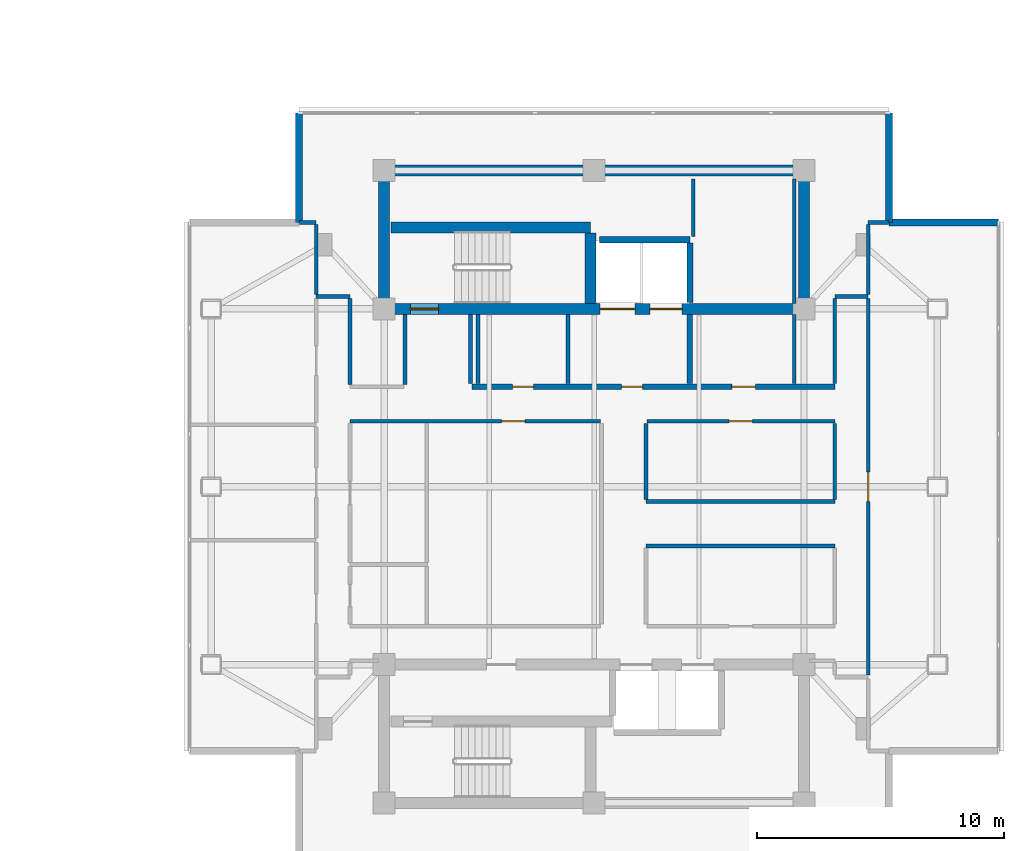
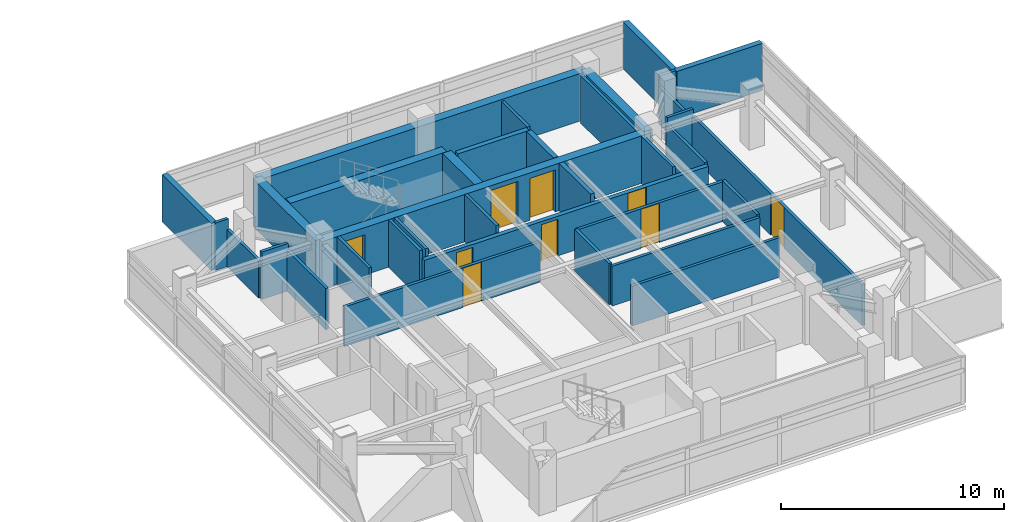
# One storey, part 15 of 21: 35 walls, 9 doors, 9 openings.
"""IFC4 building model written with IfcOpenShell, lengths in metres."""

from ifc_helpers import new_model, si_unit, direction, frame, frame_2d, origin, place, context, subcontext, project, spatial, rectangle, extrude, material, layer, layer_set, type_object, element, fill, save


model = new_model("IFC4")

# Units and contexts
model_context = context("Model", 3, precision=1e-05, world=origin(), true_north=direction((0.0, 1.0)))
body_context = subcontext(model_context, "Body", "Model", "MODEL_VIEW")
ifc_project = project(units=[si_unit("LENGTHUNIT", "METRE"), si_unit("AREAUNIT", "SQUARE_METRE"), si_unit("VOLUMEUNIT", "CUBIC_METRE"), si_unit("PLANEANGLEUNIT", "RADIAN"), si_unit("MASSUNIT", "GRAM", prefix="KILO")], contexts=[model_context])

# Site, building, storey
site_placement = place(None, origin())
site = spatial("IfcSite", under=ifc_project, at=site_placement, CompositionType="ELEMENT")
building_placement = place(site_placement, origin())
building = spatial("IfcBuilding", under=site, at=building_placement, Name="Mirazonda Arch Towers", CompositionType="ELEMENT")
storey_placement = place(building_placement, frame((0.0, 0.0, 206.39990234375)))
storey = spatial("IfcBuildingStorey", under=building, at=storey_placement, Name="L59", CompositionType="ELEMENT", Elevation=206.39990234375)

# Walls
ifc_material_1 = material(Name="Concrete C50/60", Category="concrete")
ifc_layer_1 = layer(ifc_material_1, 0.449951171875, Name="WALL-CORE-450")
ifc_layer_set_1 = layer_set([ifc_layer_1], Name="Concrete C50/60")
wall_type_1 = type_object("IfcWallType", Name="WALL-CORE-450", PredefinedType="SHEAR", material=ifc_layer_set_1)
wall_1_placement = place(storey_placement, frame((68.0, 40.800048828125, 0.0), z_axis=(0.0, 0.0, 1.0), x_axis=(1.0, 0.0, 0.0)))
element("IfcWall", 1, at=wall_1_placement, inside=storey, type_object=wall_type_1, Name="L59 T2N-N Core Shear Wall", PredefinedType="SHEAR", context=body_context, shape_type="SweptSolid", body=[
    extrude(rectangle(XDim=17.0, YDim=0.449951171875, at=frame_2d((8.5, 0.0))), origin(), (0.0, 0.0, 1.0), 2.60009765625),
])
for number, where, z_axis, x_axis, name in (
    (2, (68.0, 35.199951171875, 0.0), (0.0, 0.0, 1.0), (0.0, 1.0, 0.0), "L59 T2N-W Core Shear Wall"),
    (3, (85.0, 35.199951171875, 0.0), (0.0, 0.0, 1.0), (0.0, 1.0, 0.0), "L59 T2N-E Core Shear Wall"),
):
    element("IfcWall", number, at=place(storey_placement, frame(where, z_axis=z_axis, x_axis=x_axis)), inside=storey, type_object=wall_type_1, Name=name, PredefinedType="SHEAR", context=body_context, shape_type="SweptSolid", body=[
        extrude(rectangle(XDim=5.60009765625, YDim=0.449951171875, at=frame_2d((2.800048828125, 0.0))), origin(), (0.0, 0.0, 1.0), 2.60009765625),
    ])

# Wall, openings, doors
wall_2_placement = place(storey_placement, frame((68.0, 35.199951171875, 0.0), z_axis=(0.0, 0.0, 1.0), x_axis=(1.0, 0.0, 0.0)))
wall_2 = element("IfcWall", 4, at=wall_2_placement, inside=storey, type_object=wall_type_1, Name="L59 T2N-S Core Shear Wall", PredefinedType="SHEAR", context=body_context, shape_type="SweptSolid", body=[
    extrude(rectangle(XDim=17.0, YDim=0.449951171875, at=frame_2d((8.5, 0.0))), origin(), (0.0, 0.0, 1.0), 2.60009765625),
])
opening_1_placement = place(wall_2_placement, frame((1.06005859375, 0.0, 0.0)))
opening_1 = element("IfcOpeningElement", 5, at=opening_1_placement, cuts=wall_2, Name="Opening DR-135", PredefinedType="OPENING", context=body_context, shape_type="SweptSolid", body=[
    extrude(rectangle(XDim=1.14990234375, YDim=2.199951171875, at=frame_2d((0.574951171875, 1.10009765625))), frame((0.0, 0.23486328125, 0.0), z_axis=(0.0, -1.0, 0.0), x_axis=(1.0, 0.0, 0.0)), (0.0, 0.0, 1.0), 0.469970703125),
])
opening_2_placement = place(wall_2_placement, frame((8.75, 0.0, 0.0)))
opening_2 = element("IfcOpeningElement", 6, at=opening_2_placement, cuts=wall_2, Name="Opening LD-112", PredefinedType="OPENING", context=body_context, shape_type="SweptSolid", body=[
    extrude(rectangle(XDim=1.39990234375, YDim=2.35009765625, at=frame_2d((0.699951171875, 1.175048828125))), frame((0.0, 0.23486328125, 0.0), z_axis=(0.0, -1.0, 0.0), x_axis=(1.0, 0.0, 0.0)), (0.0, 0.0, 1.0), 0.469970703125),
])
opening_3_placement = place(wall_2_placement, frame((10.77001953125, 0.0, 0.0)))
opening_3 = element("IfcOpeningElement", 7, at=opening_3_placement, cuts=wall_2, Name="Opening LD-111", PredefinedType="OPENING", context=body_context, shape_type="SweptSolid", body=[
    extrude(rectangle(XDim=1.300048828125, YDim=2.300048828125, at=frame_2d((0.64990234375, 1.14990234375))), frame((0.0, 0.23486328125, 0.0), z_axis=(0.0, -1.0, 0.0), x_axis=(1.0, 0.0, 0.0)), (0.0, 0.0, 1.0), 0.469970703125),
])
ifc_material_2 = material(Name="Architectural Brushed Steel S355", Category="steel")
door_type_1 = type_object("IfcDoorType", Name="DOOR-LIFT-FFL-1400", OperationType="NOTDEFINED", PredefinedType="DOOR", material=ifc_material_2)
door_1_placement = place(opening_2_placement, origin())
door_1 = element("IfcDoor", 8, at=door_1_placement, inside=storey, type_object=door_type_1, Name="L59 Lift Landing Sliding Door FFL-T2", OperationType="DOUBLE_DOOR_SLIDING", OverallHeight=2.35009765625, OverallWidth=1.39990234375, PredefinedType="DOOR", context=body_context, shape_type="SweptSolid", body=[
    extrude(rectangle(XDim=1.39990234375, YDim=2.35009765625, at=frame_2d((0.699951171875, 1.175048828125))), frame((0.0, 0.02490234375, 0.0), z_axis=(0.0, -1.0, 0.0), x_axis=(1.0, 0.0, 0.0)), (0.0, 0.0, 1.0), 0.050048828125),
])
fill(opening_2, door_1)
door_type_2 = type_object("IfcDoorType", Name="DOOR-LIFT-LAND-1300", OperationType="NOTDEFINED", PredefinedType="DOOR", material=ifc_material_2)
door_2_placement = place(opening_3_placement, origin())
door_2 = element("IfcDoor", 9, at=door_2_placement, inside=storey, type_object=door_type_2, Name="L59 Lift Landing Sliding Door SVL-T2", OperationType="DOUBLE_DOOR_SLIDING", OverallHeight=2.300048828125, OverallWidth=1.300048828125, PredefinedType="DOOR", context=body_context, shape_type="SweptSolid", body=[
    extrude(rectangle(XDim=1.300048828125, YDim=2.300048828125, at=frame_2d((0.64990234375, 1.14990234375))), frame((0.0, 0.02490234375, 0.0), z_axis=(0.0, -1.0, 0.0), x_axis=(1.0, 0.0, 0.0)), (0.0, 0.0, 1.0), 0.050048828125),
])
fill(opening_3, door_2)
door_type_3 = type_object("IfcDoorType", Name="DOOR-STAIR-FD90-1150", OperationType="NOTDEFINED", PredefinedType="DOOR", material=ifc_material_2)
door_3_placement = place(opening_1_placement, origin())
door_3 = element("IfcDoor", 10, at=door_3_placement, inside=storey, type_object=door_type_3, Name="L59 East Protected Stair North Door", OperationType="SINGLE_SWING_LEFT", OverallHeight=2.199951171875, OverallWidth=1.14990234375, PredefinedType="DOOR", context=body_context, shape_type="SweptSolid", body=[
    extrude(rectangle(XDim=1.14990234375, YDim=2.199951171875, at=frame_2d((0.574951171875, 1.10009765625))), frame((0.0, 0.02490234375, 0.0), z_axis=(0.0, -1.0, 0.0), x_axis=(1.0, 0.0, 0.0)), (0.0, 0.0, 1.0), 0.050048828125),
])
fill(opening_1, door_3)

# Walls
wall_3_placement = place(storey_placement, frame((68.27001953125, 38.5, 0.0), z_axis=(0.0, 0.0, 1.0), x_axis=(1.0, 0.0, 0.0)))
element("IfcWall", 11, at=wall_3_placement, inside=storey, type_object=wall_type_1, Name="L59 Stair Core Shear Wall 046", PredefinedType="SHEAR", context=body_context, shape_type="SweptSolid", body=[
    extrude(rectangle(XDim=8.090087890625, YDim=0.449951171875, at=frame_2d((4.044921875, 0.0))), origin(), (0.0, 0.0, 1.0), 2.60009765625),
])
wall_4_placement = place(storey_placement, frame((76.360107421875, 35.419921875, 0.0), z_axis=(0.0, 0.0, 1.0), x_axis=(0.0, 1.0, 0.0)))
element("IfcWall", 12, at=wall_4_placement, inside=storey, type_object=wall_type_1, Name="L59 Stair Core Shear Wall 124", PredefinedType="SHEAR", context=body_context, shape_type="SweptSolid", body=[
    extrude(rectangle(XDim=2.844970703125, YDim=0.449951171875, at=frame_2d((1.42236328125, 0.0))), origin(), (0.0, 0.0, 1.0), 2.60009765625),
])
ifc_material_3 = material(Name="Precast Concrete C40/50", Category="concrete")
ifc_layer_2 = layer(ifc_material_3, 0.280029296875, Name="WALL-EXT-WALL-280")
ifc_layer_set_2 = layer_set([ifc_layer_2], Name="Precast Concrete C40/50")
wall_type_2 = type_object("IfcWallType", Name="WALL-EXT-WALL-280", PredefinedType="SOLIDWALL", material=ifc_layer_set_2)
for number, where, z_axis, x_axis, name in (
    (13, (88.437744140625, 38.69873046875, 0.0), (0.0, 0.0, 1.0), (0.0, 1.0, 0.0), "L59 T2 Notched NE Corner Wall WL-L59-T2-CNE"),
    (14, (64.562255859375, 43.138427734375, 0.0), (0.0, 0.0, 1.0), (0.0, -1.0, 0.0), "L59 T2 Corner Notch Return Wall WL-L59-T2-CNW2"),
    (15, (92.87744140625, 38.69873046875, 0.0), (0.0, 0.0, 1.0), (-1.0, 0.0, 0.0), "L59 T2 Corner Notch Return Wall WL-L59-T2-CNE2"),
):
    element("IfcWall", number, at=place(storey_placement, frame(where, z_axis=z_axis, x_axis=x_axis)), inside=storey, type_object=wall_type_2, Name=name, PredefinedType="SOLIDWALL", context=body_context, shape_type="SweptSolid", body=[
        extrude(rectangle(XDim=4.439697265625, YDim=0.280029296875, at=frame_2d((2.2197265625, 0.0))), origin(), (0.0, 0.0, 1.0), 2.580078125),
    ])

# Wall, openings, doors
ifc_material_4 = material(Name="Concrete C40/50", Category="concrete")
ifc_layer_3 = layer(ifc_material_4, 0.219970703125, Name="WALL-FFL-220")
ifc_layer_set_3 = layer_set([ifc_layer_3], Name="Concrete C40/50")
wall_type_3 = type_object("IfcWallType", Name="WALL-FFL-220", PredefinedType="SOLIDWALL", material=ifc_layer_set_3)
wall_5_placement = place(storey_placement, frame((71.550048828125, 32.050048828125, 0.0), z_axis=(0.0, 0.0, 1.0), x_axis=(1.0, 0.0, 0.0)))
wall_5 = element("IfcWall", 16, at=wall_5_placement, inside=storey, type_object=wall_type_3, Name="L59 Interior Partition 038", PredefinedType="SOLIDWALL", context=body_context, shape_type="SweptSolid", body=[
    extrude(rectangle(XDim=14.699951171875, YDim=0.219970703125, at=frame_2d((7.35009765625, 0.0))), origin(), (0.0, 0.0, 1.0), 2.175048828125),
])
opening_4_placement = place(wall_5_placement, frame((6.06494140625, 0.0, 0.0)))
opening_4 = element("IfcOpeningElement", 17, at=opening_4_placement, cuts=wall_5, Name="Opening DR-128", PredefinedType="OPENING", context=body_context, shape_type="SweptSolid", body=[
    extrude(rectangle(XDim=0.85009765625, YDim=2.010009765625, at=frame_2d((0.425048828125, 1.0048828125))), frame((0.0, 0.119873046875, 0.0), z_axis=(0.0, -1.0, 0.0), x_axis=(1.0, 0.0, 0.0)), (0.0, 0.0, 1.0), 0.239990234375),
])
opening_5_placement = place(wall_5_placement, frame((10.534912109375, 0.0, 0.0)))
opening_5 = element("IfcOpeningElement", 18, at=opening_5_placement, cuts=wall_5, Name="Opening DR-104", PredefinedType="OPENING", context=body_context, shape_type="SweptSolid", body=[
    extrude(rectangle(XDim=0.949951171875, YDim=2.14990234375, at=frame_2d((0.47509765625, 1.074951171875))), frame((0.0, 0.119873046875, 0.0), z_axis=(0.0, -1.0, 0.0), x_axis=(1.0, 0.0, 0.0)), (0.0, 0.0, 1.0), 0.239990234375),
])
opening_6_placement = place(wall_5_placement, frame((1.64990234375, 0.0, 0.0)))
opening_6 = element("IfcOpeningElement", 19, at=opening_6_placement, cuts=wall_5, Name="Opening DR-128", PredefinedType="OPENING", context=body_context, shape_type="SweptSolid", body=[
    extrude(rectangle(XDim=0.85009765625, YDim=2.010009765625, at=frame_2d((0.425048828125, 1.0048828125))), frame((0.0, 0.119873046875, 0.0), z_axis=(0.0, -1.0, 0.0), x_axis=(1.0, 0.0, 0.0)), (0.0, 0.0, 1.0), 0.239990234375),
])
door_type_4 = type_object("IfcDoorType", Name="DOOR-RISER-FD60-850", OperationType="NOTDEFINED", PredefinedType="DOOR", material=ifc_material_2)
door_4_placement = place(opening_4_placement, origin())
door_4 = element("IfcDoor", 20, at=door_4_placement, inside=storey, type_object=door_type_4, Name="L59 East Firefighting Lift Lobby Door", OperationType="SINGLE_SWING_RIGHT", OverallHeight=2.010009765625, OverallWidth=0.85009765625, PredefinedType="DOOR", context=body_context, shape_type="SweptSolid", body=[
    extrude(rectangle(XDim=0.85009765625, YDim=2.010009765625, at=frame_2d((0.425048828125, 1.0048828125))), frame((0.0, 0.02490234375, 0.0), z_axis=(0.0, -1.0, 0.0), x_axis=(1.0, 0.0, 0.0)), (0.0, 0.0, 1.0), 0.050048828125),
])
fill(opening_4, door_4)
door_5_placement = place(opening_6_placement, origin())
door_5 = element("IfcDoor", 21, at=door_5_placement, inside=storey, type_object=door_type_4, Name="L59 Tower 2 Housekeeping & Linen Room Door", OperationType="SINGLE_SWING_RIGHT", OverallHeight=2.010009765625, OverallWidth=0.85009765625, PredefinedType="DOOR", context=body_context, shape_type="SweptSolid", body=[
    extrude(rectangle(XDim=0.85009765625, YDim=2.010009765625, at=frame_2d((0.425048828125, 1.0048828125))), frame((0.0, 0.02490234375, 0.0), z_axis=(0.0, -1.0, 0.0), x_axis=(1.0, 0.0, 0.0)), (0.0, 0.0, 1.0), 0.050048828125),
])
fill(opening_6, door_5)
door_type_5 = type_object("IfcDoorType", Name="DOOR-ROOM-950", OperationType="NOTDEFINED", PredefinedType="DOOR", material=ifc_material_2)
door_6_placement = place(opening_5_placement, origin())
door_6 = element("IfcDoor", 22, at=door_6_placement, inside=storey, type_object=door_type_5, Name="L59 East Sky Reading Library Door", OperationType="SINGLE_SWING_LEFT", OverallHeight=2.14990234375, OverallWidth=0.949951171875, PredefinedType="DOOR", context=body_context, shape_type="SweptSolid", body=[
    extrude(rectangle(XDim=0.949951171875, YDim=2.14990234375, at=frame_2d((0.47509765625, 1.074951171875))), frame((0.0, 0.02490234375, 0.0), z_axis=(0.0, -1.0, 0.0), x_axis=(1.0, 0.0, 0.0)), (0.0, 0.0, 1.0), 0.050048828125),
])
fill(opening_5, door_6)

# Walls
wall_6_placement = place(storey_placement, frame((80.3798828125, 32.169921875, 0.0), z_axis=(0.0, 0.0, 1.0), x_axis=(0.0, 1.0, 0.0)))
element("IfcWall", 23, at=wall_6_placement, inside=storey, type_object=wall_type_3, Name="L59 Interior Partition 129", PredefinedType="SOLIDWALL", context=body_context, shape_type="SweptSolid", body=[
    extrude(rectangle(XDim=2.81005859375, YDim=0.219970703125, at=frame_2d((1.405029296875, 0.0))), origin(), (0.0, 0.0, 1.0), 2.60009765625),
])
ifc_material_5 = material(Name="Fire-Rated Gypsum Stud Partition")
ifc_layer_4 = layer(ifc_material_5, 0.14990234375, Name="WALL-PART-CORR-150")
ifc_layer_set_4 = layer_set([ifc_layer_4], Name="Fire-Rated Gypsum Stud Partition")
wall_type_4 = type_object("IfcWallType", Name="WALL-PART-CORR-150", PredefinedType="PARTITIONING", material=ifc_layer_set_4)
for number, where, z_axis, x_axis, name in (
    (24, (78.60009765625, 25.60009765625, 0.0), (0.0, 0.0, 1.0), (1.0, 0.0, 0.0), "L59 Interior Partition 027"),
    (25, (78.60009765625, 27.39990234375, 0.0), (0.0, 0.0, 1.0), (1.0, 0.0, 0.0), "L59 Interior Partition 029"),
):
    element("IfcWall", number, at=place(storey_placement, frame(where, z_axis=z_axis, x_axis=x_axis)), inside=storey, type_object=wall_type_4, Name=name, PredefinedType="PARTITIONING", context=body_context, shape_type="SweptSolid", body=[
        extrude(rectangle(XDim=7.64990234375, YDim=0.14990234375, at=frame_2d((3.824951171875, 0.0))), origin(), (0.0, 0.0, 1.0), 2.175048828125),
    ])

# Wall, opening, door
wall_7_placement = place(storey_placement, frame((66.6201171875, 30.64990234375, 0.0), z_axis=(0.0, 0.0, 1.0), x_axis=(1.0, 0.0, 0.0)))
wall_7 = element("IfcWall", 26, at=wall_7_placement, inside=storey, type_object=wall_type_4, Name="L59 Interior Partition 033", PredefinedType="PARTITIONING", context=body_context, shape_type="SweptSolid", body=[
    extrude(rectangle(XDim=10.139892578125, YDim=0.14990234375, at=frame_2d((5.06982421875, 0.0))), origin(), (0.0, 0.0, 1.0), 2.175048828125),
])
opening_7_placement = place(wall_7_placement, frame((6.139892578125, 0.0, 0.0)))
opening_7 = element("IfcOpeningElement", 27, at=opening_7_placement, cuts=wall_7, Name="Opening DR-104", PredefinedType="OPENING", context=body_context, shape_type="SweptSolid", body=[
    extrude(rectangle(XDim=0.949951171875, YDim=2.14990234375, at=frame_2d((0.47509765625, 1.074951171875))), frame((0.0, 0.0849609375, 0.0), z_axis=(0.0, -1.0, 0.0), x_axis=(1.0, 0.0, 0.0)), (0.0, 0.0, 1.0), 0.169921875),
])
door_7_placement = place(opening_7_placement, origin())
door_7 = element("IfcDoor", 28, at=door_7_placement, inside=storey, type_object=door_type_5, Name="L59 L59 East Courtyard Study Door", OperationType="SINGLE_SWING_LEFT", OverallHeight=2.14990234375, OverallWidth=0.949951171875, PredefinedType="DOOR", context=body_context, shape_type="SweptSolid", body=[
    extrude(rectangle(XDim=0.949951171875, YDim=2.14990234375, at=frame_2d((0.47509765625, 1.074951171875))), frame((0.0, 0.02490234375, 0.0), z_axis=(0.0, -1.0, 0.0), x_axis=(1.0, 0.0, 0.0)), (0.0, 0.0, 1.0), 0.050048828125),
])
fill(opening_7, door_7)

wall_8_placement = place(storey_placement, frame((78.639892578125, 30.64990234375, 0.0), z_axis=(0.0, 0.0, 1.0), x_axis=(1.0, 0.0, 0.0)))
wall_8 = element("IfcWall", 29, at=wall_8_placement, inside=storey, type_object=wall_type_4, Name="L59 Interior Partition 034", PredefinedType="PARTITIONING", context=body_context, shape_type="SweptSolid", body=[
    extrude(rectangle(XDim=7.610107421875, YDim=0.14990234375, at=frame_2d((3.80517578125, 0.0))), origin(), (0.0, 0.0, 1.0), 2.175048828125),
])
opening_8_placement = place(wall_8_placement, frame((3.330078125, 0.0, 0.0)))
opening_8 = element("IfcOpeningElement", 30, at=opening_8_placement, cuts=wall_8, Name="Opening DR-104", PredefinedType="OPENING", context=body_context, shape_type="SweptSolid", body=[
    extrude(rectangle(XDim=0.949951171875, YDim=2.14990234375, at=frame_2d((0.47509765625, 1.074951171875))), frame((0.0, 0.0849609375, 0.0), z_axis=(0.0, -1.0, 0.0), x_axis=(1.0, 0.0, 0.0)), (0.0, 0.0, 1.0), 0.169921875),
])
door_8_placement = place(opening_8_placement, origin())
door_8 = element("IfcDoor", 31, at=door_8_placement, inside=storey, type_object=door_type_5, Name="L59 L59 Tower 2 North-East Study Door", OperationType="SINGLE_SWING_LEFT", OverallHeight=2.14990234375, OverallWidth=0.949951171875, PredefinedType="DOOR", context=body_context, shape_type="SweptSolid", body=[
    extrude(rectangle(XDim=0.949951171875, YDim=2.14990234375, at=frame_2d((0.47509765625, 1.074951171875))), frame((0.0, 0.02490234375, 0.0), z_axis=(0.0, -1.0, 0.0), x_axis=(1.0, 0.0, 0.0)), (0.0, 0.0, 1.0), 0.050048828125),
])
fill(opening_8, door_8)

# Walls
wall_9_placement = place(storey_placement, frame((65.25, 35.699951171875, 0.0), z_axis=(0.0, 0.0, 1.0), x_axis=(1.0, 0.0, 0.0)))
element("IfcWall", 32, at=wall_9_placement, inside=storey, type_object=wall_type_4, Name="L59 Interior Partition 043", PredefinedType="PARTITIONING", context=body_context, shape_type="SweptSolid", body=[
    extrude(rectangle(XDim=1.3701171875, YDim=0.14990234375, at=frame_2d((0.68505859375, 0.0))), origin(), (0.0, 0.0, 1.0), 2.60009765625),
])
wall_10_placement = place(storey_placement, frame((86.25, 35.699951171875, 0.0), z_axis=(0.0, 0.0, 1.0), x_axis=(1.0, 0.0, 0.0)))
element("IfcWall", 33, at=wall_10_placement, inside=storey, type_object=wall_type_4, Name="L59 Interior Partition 044", PredefinedType="PARTITIONING", context=body_context, shape_type="SweptSolid", body=[
    extrude(rectangle(XDim=1.35009765625, YDim=0.14990234375, at=frame_2d((0.675048828125, 0.0))), origin(), (0.0, 0.0, 1.0), 2.60009765625),
])
wall_11_placement = place(storey_placement, frame((64.582275390625, 38.698974609375, 0.0), z_axis=(0.0, 0.0, 1.0), x_axis=(1.0, 0.0, 0.0)))
element("IfcWall", 34, at=wall_11_placement, inside=storey, type_object=wall_type_4, Name="L59 Interior Partition 047", PredefinedType="PARTITIONING", context=body_context, shape_type="SweptSolid", body=[
    extrude(rectangle(XDim=0.667724609375, YDim=0.14990234375, at=frame_2d((0.333984375, 0.0))), origin(), (0.0, 0.0, 1.0), 2.60009765625),
])
wall_12_placement = place(storey_placement, frame((87.60009765625, 38.698974609375, 0.0), z_axis=(0.0, 0.0, 1.0), x_axis=(1.0, 0.0, 0.0)))
element("IfcWall", 35, at=wall_12_placement, inside=storey, type_object=wall_type_4, Name="L59 Interior Partition 048", PredefinedType="PARTITIONING", context=body_context, shape_type="SweptSolid", body=[
    extrude(rectangle(XDim=0.817626953125, YDim=0.14990234375, at=frame_2d((0.40869140625, 0.0))), origin(), (0.0, 0.0, 1.0), 2.60009765625),
])
wall_13_placement = place(storey_placement, frame((65.25, 35.784912109375, 0.0), z_axis=(0.0, 0.0, 1.0), x_axis=(0.0, 1.0, 0.0)))
element("IfcWall", 36, at=wall_13_placement, inside=storey, type_object=wall_type_4, Name="L59 Interior Partition 112", PredefinedType="PARTITIONING", context=body_context, shape_type="SweptSolid", body=[
    extrude(rectangle(XDim=2.8291015625, YDim=0.14990234375, at=frame_2d((1.41455078125, 0.0))), origin(), (0.0, 0.0, 1.0), 2.043212890625),
])
wall_14_placement = place(storey_placement, frame((66.6201171875, 32.135009765625, 0.0), z_axis=(0.0, 0.0, 1.0), x_axis=(0.0, 1.0, 0.0)))
element("IfcWall", 37, at=wall_14_placement, inside=storey, type_object=wall_type_4, Name="L59 Interior Partition 116", PredefinedType="PARTITIONING", context=body_context, shape_type="SweptSolid", body=[
    extrude(rectangle(XDim=3.47998046875, YDim=0.14990234375, at=frame_2d((1.739990234375, 0.0))), origin(), (0.0, 0.0, 1.0), 2.26220703125),
])
wall_15_placement = place(storey_placement, frame((68.85009765625, 32.135009765625, 0.0), z_axis=(0.0, 0.0, 1.0), x_axis=(0.0, 1.0, 0.0)))
element("IfcWall", 38, at=wall_15_placement, inside=storey, type_object=wall_type_4, Name="L59 Interior Partition 117", PredefinedType="PARTITIONING", context=body_context, shape_type="SweptSolid", body=[
    extrude(rectangle(XDim=2.844970703125, YDim=0.14990234375, at=frame_2d((1.42236328125, 0.0))), origin(), (0.0, 0.0, 1.0), 2.60009765625),
])
for number, where, z_axis, x_axis, name in (
    (39, (71.5, 32.169921875, 0.0), (0.0, 0.0, 1.0), (0.0, 1.0, 0.0), "L59 Interior Partition 120"),
    (40, (71.800048828125, 32.169921875, 0.0), (0.0, 0.0, 1.0), (0.0, 1.0, 0.0), "L59 Interior Partition 121"),
    (41, (75.449951171875, 32.169921875, 0.0), (0.0, 0.0, 1.0), (0.0, 1.0, 0.0), "L59 Interior Partition 122"),
):
    element("IfcWall", number, at=place(storey_placement, frame(where, z_axis=z_axis, x_axis=x_axis)), inside=storey, type_object=wall_type_4, Name=name, PredefinedType="PARTITIONING", context=body_context, shape_type="SweptSolid", body=[
        extrude(rectangle(XDim=2.81005859375, YDim=0.14990234375, at=frame_2d((1.405029296875, 0.0))), origin(), (0.0, 0.0, 1.0), 2.60009765625),
    ])
wall_16_placement = place(storey_placement, frame((78.60009765625, 27.485107421875, 0.0), z_axis=(0.0, 0.0, 1.0), x_axis=(0.0, 1.0, 0.0)))
element("IfcWall", 42, at=wall_16_placement, inside=storey, type_object=wall_type_4, Name="L59 Interior Partition 128", PredefinedType="PARTITIONING", context=body_context, shape_type="SweptSolid", body=[
    extrude(rectangle(XDim=3.079833984375, YDim=0.14990234375, at=frame_2d((1.5400390625, 0.0))), origin(), (0.0, 0.0, 1.0), 2.26220703125),
])
wall_17_placement = place(storey_placement, frame((80.52001953125, 38.135009765625, 0.0), z_axis=(0.0, 0.0, 1.0), x_axis=(0.0, 1.0, 0.0)))
element("IfcWall", 43, at=wall_17_placement, inside=storey, type_object=wall_type_4, Name="L59 Interior Partition 131", PredefinedType="PARTITIONING", context=body_context, shape_type="SweptSolid", body=[
    extrude(rectangle(XDim=2.31494140625, YDim=0.14990234375, at=frame_2d((1.157470703125, 0.0))), origin(), (0.0, 0.0, 1.0), 2.60009765625),
])
wall_18_placement = place(storey_placement, frame((84.60009765625, 32.169921875, 0.0), z_axis=(0.0, 0.0, 1.0), x_axis=(0.0, 1.0, 0.0)))
element("IfcWall", 44, at=wall_18_placement, inside=storey, type_object=wall_type_4, Name="L59 Interior Partition 133", PredefinedType="PARTITIONING", context=body_context, shape_type="SweptSolid", body=[
    extrude(rectangle(XDim=2.81005859375, YDim=0.14990234375, at=frame_2d((1.405029296875, 0.0))), origin(), (0.0, 0.0, 1.0), 2.60009765625),
])
wall_19_placement = place(storey_placement, frame((84.60009765625, 35.419921875, 0.0), z_axis=(0.0, 0.0, 1.0), x_axis=(0.0, 1.0, 0.0)))
element("IfcWall", 45, at=wall_19_placement, inside=storey, type_object=wall_type_4, Name="L59 Interior Partition 134", PredefinedType="PARTITIONING", context=body_context, shape_type="SweptSolid", body=[
    extrude(rectangle(XDim=5.030029296875, YDim=0.14990234375, at=frame_2d((2.51513671875, 0.0))), origin(), (0.0, 0.0, 1.0), 2.60009765625),
])
wall_20_placement = place(storey_placement, frame((86.25, 27.485107421875, 0.0), z_axis=(0.0, 0.0, 1.0), x_axis=(0.0, 1.0, 0.0)))
element("IfcWall", 46, at=wall_20_placement, inside=storey, type_object=wall_type_4, Name="L59 Interior Partition 137", PredefinedType="PARTITIONING", context=body_context, shape_type="SweptSolid", body=[
    extrude(rectangle(XDim=3.079833984375, YDim=0.14990234375, at=frame_2d((1.5400390625, 0.0))), origin(), (0.0, 0.0, 1.0), 2.26220703125),
])
wall_21_placement = place(storey_placement, frame((86.25, 32.169921875, 0.0), z_axis=(0.0, 0.0, 1.0), x_axis=(0.0, 1.0, 0.0)))
element("IfcWall", 47, at=wall_21_placement, inside=storey, type_object=wall_type_4, Name="L59 Interior Partition 138", PredefinedType="PARTITIONING", context=body_context, shape_type="SweptSolid", body=[
    extrude(rectangle(XDim=3.445068359375, YDim=0.14990234375, at=frame_2d((1.72265625, 0.0))), origin(), (0.0, 0.0, 1.0), 2.26220703125),
])

# Wall, opening, door
wall_22_placement = place(storey_placement, frame((87.60009765625, 20.385009765625, 0.0), z_axis=(0.0, 0.0, 1.0), x_axis=(0.0, 1.0, 0.0)))
wall_22 = element("IfcWall", 48, at=wall_22_placement, inside=storey, type_object=wall_type_4, Name="L59 Interior Partition 140", PredefinedType="PARTITIONING", context=body_context, shape_type="SweptSolid", body=[
    extrude(rectangle(XDim=15.22998046875, YDim=0.14990234375, at=frame_2d((7.614990234375, 0.0))), origin(), (0.0, 0.0, 1.0), 2.26220703125),
])
opening_9_placement = place(wall_22_placement, frame((7.014892578125, 0.0, 0.0)))
opening_9 = element("IfcOpeningElement", 49, at=opening_9_placement, cuts=wall_22, Name="Opening DR-117", PredefinedType="OPENING", context=body_context, shape_type="SweptSolid", body=[
    extrude(rectangle(XDim=1.199951171875, YDim=2.25, at=frame_2d((0.60009765625, 1.125))), frame((0.0, 0.0849609375, 0.0), z_axis=(0.0, -1.0, 0.0), x_axis=(1.0, 0.0, 0.0)), (0.0, 0.0, 1.0), 0.169921875),
])
door_type_6 = type_object("IfcDoorType", Name="DOOR-FFL-FD90-1200", OperationType="NOTDEFINED", PredefinedType="DOOR", material=ifc_material_2)
door_9_placement = place(opening_9_placement, origin())
door_9 = element("IfcDoor", 50, at=door_9_placement, inside=storey, type_object=door_type_6, Name="L59 Tower 2 Crown Sky-Club Salon 1 Door", OperationType="SINGLE_SWING_LEFT", OverallHeight=2.25, OverallWidth=1.199951171875, PredefinedType="DOOR", context=body_context, shape_type="SweptSolid", body=[
    extrude(rectangle(XDim=1.199951171875, YDim=2.25, at=frame_2d((0.60009765625, 1.125))), frame((0.0, 0.02490234375, 0.0), z_axis=(0.0, -1.0, 0.0), x_axis=(1.0, 0.0, 0.0)), (0.0, 0.0, 1.0), 0.050048828125),
])
fill(opening_9, door_9)

# Walls
wall_23_placement = place(storey_placement, frame((87.60009765625, 35.784912109375, 0.0), z_axis=(0.0, 0.0, 1.0), x_axis=(0.0, 1.0, 0.0)))
element("IfcWall", 51, at=wall_23_placement, inside=storey, type_object=wall_type_4, Name="L59 Interior Partition 141", PredefinedType="PARTITIONING", context=body_context, shape_type="SweptSolid", body=[
    extrude(rectangle(XDim=2.8291015625, YDim=0.14990234375, at=frame_2d((1.41455078125, 0.0))), origin(), (0.0, 0.0, 1.0), 2.043212890625),
])
ifc_layer_5 = layer(ifc_material_4, 0.25, Name="WALL-SHAFT-250")
ifc_layer_set_5 = layer_set([ifc_layer_5], Name="Concrete C40/50")
wall_type_5 = type_object("IfcWallType", Name="WALL-SHAFT-250", PredefinedType="SOLIDWALL", material=ifc_layer_set_5)
wall_24_placement = place(storey_placement, frame((76.719970703125, 38.0, 0.0), z_axis=(0.0, 0.0, 1.0), x_axis=(1.0, 0.0, 0.0)))
element("IfcWall", 52, at=wall_24_placement, inside=storey, type_object=wall_type_5, Name="L59 Interior Partition 045", PredefinedType="SOLIDWALL", context=body_context, shape_type="SweptSolid", body=[
    extrude(rectangle(XDim=3.659912109375, YDim=0.25, at=frame_2d((1.830078125, 0.0))), origin(), (0.0, 0.0, 1.0), 2.60009765625),
])
wall_25_placement = place(storey_placement, frame((80.3798828125, 35.449951171875, 0.0), z_axis=(0.0, 0.0, 1.0), x_axis=(0.0, 1.0, 0.0)))
element("IfcWall", 53, at=wall_25_placement, inside=storey, type_object=wall_type_5, Name="L59 Interior Partition 130", PredefinedType="SOLIDWALL", context=body_context, shape_type="SweptSolid", body=[
    extrude(rectangle(XDim=2.4150390625, YDim=0.25, at=frame_2d((1.20751953125, 0.0))), origin(), (0.0, 0.0, 1.0), 2.60009765625),
])

save(model, "model.ifc")
